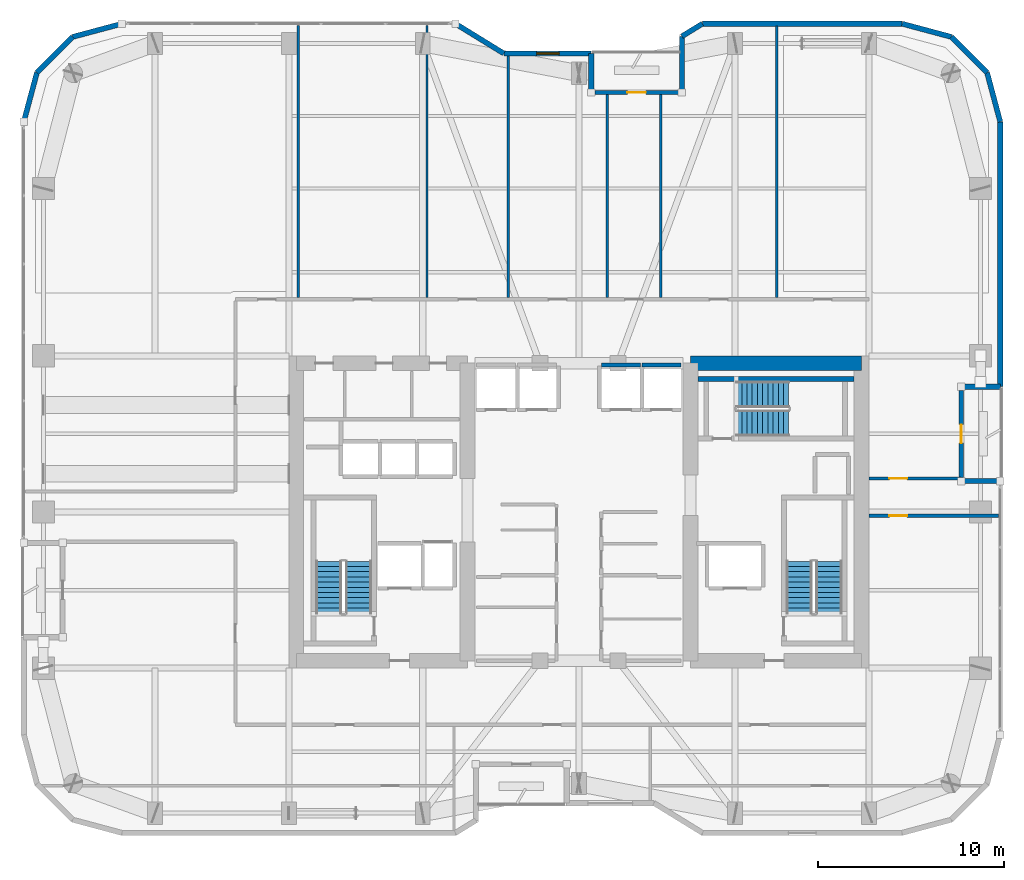
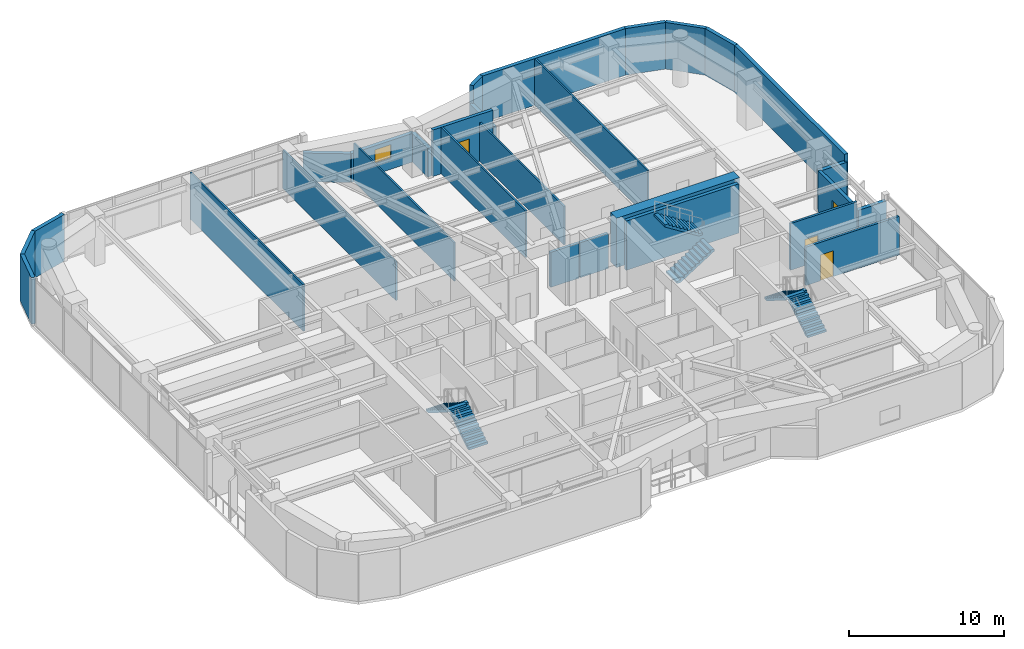
# One storey, part 27 of 30: 29 walls, 6 stair flights, 4 doors, 1 window, 5 openings, 3 elements without a shape of their own.
"""IFC4 building model written with IfcOpenShell, lengths in metres."""

import ifcopenshell
import ifcopenshell.guid

model = None  # the IFC model being written
_history = None  # IfcOwnerHistory: only IFC2X3 demands one
_inside = {}  # id of a spatial element -> (the spatial element, [elements in it])
_under = {}  # id of a project, library or spatial element -> (it, [spatial elements below it])
_declared = {}  # id of a project -> (the project, [libraries it declares])
_typed = {}  # id of a type object -> (the type object, [elements of that type])
_made_of = {}  # id of a material, layer set ... -> (it, [elements and type objects made of it])


def new_model(schema):
    """Start an empty IFC model of exactly this schema.

    Asked for "IFC4X3", IfcOpenShell would pick the latest addendum, in which some entities
    have other attributes; the version numbers below select the first issue.
    IFC2X3 requires an IfcOwnerHistory on every rooted entity: one is made here for all.
    """
    global model, _history
    if schema == "IFC4X3":
        model = ifcopenshell.file(schema_version=(4, 3, 0, 0))
    else:
        model = ifcopenshell.file(schema=schema)
    _inside.clear()
    _under.clear()
    _declared.clear()
    _typed.clear()
    _made_of.clear()
    _history = None
    if model.schema == "IFC2X3":
        org = make("IfcOrganization", Name="unknown")
        user = make(
            "IfcPersonAndOrganization",
            ThePerson=make("IfcPerson", FamilyName="unknown"),
            TheOrganization=org,
        )
        app = make(
            "IfcApplication",
            ApplicationDeveloper=org,
            Version="unknown",
            ApplicationFullName="unknown",
            ApplicationIdentifier="unknown",
        )
        _history = make(
            "IfcOwnerHistory",
            OwningUser=user,
            OwningApplication=app,
            ChangeAction="ADDED",
            CreationDate=0,
        )
    return model


def make(cls, **values):
    """One entity of the class cls with the attributes given. An attribute that is None is left unset."""
    return model.create_entity(
        cls, **{name: value for name, value in values.items() if value is not None}
    )


def rooted(cls, **values):
    """An entity with a GlobalId (a new one), such as an element, a storey or a relation."""
    return make(cls, GlobalId=ifcopenshell.guid.new(), OwnerHistory=_history, **values)


def si_unit(unit_type, name, prefix=None):
    """IfcSIUnit, for example si_unit("LENGTHUNIT", "METRE", prefix="MILLI")."""
    return make("IfcSIUnit", UnitType=unit_type, Prefix=prefix, Name=name)


def assignment(units):
    """IfcUnitAssignment: the units of a project."""
    return None if units is None else make("IfcUnitAssignment", Units=units)


def point(xyz):
    """IfcCartesianPoint."""
    return None if xyz is None else make("IfcCartesianPoint", Coordinates=xyz)


def direction(xyz):
    """IfcDirection."""
    return None if xyz is None else make("IfcDirection", DirectionRatios=xyz)


def frame(location, z_axis=None, x_axis=None):
    """IfcAxis2Placement3D, a coordinate frame: its origin and axes. An axis left out is left unset."""
    return make(
        "IfcAxis2Placement3D",
        Location=point(location),
        Axis=direction(z_axis),
        RefDirection=direction(x_axis),
    )


def frame_2d(location, x_axis=None):
    """IfcAxis2Placement2D, a coordinate frame in the plane: its origin and x axis."""
    return make(
        "IfcAxis2Placement2D", Location=point(location), RefDirection=direction(x_axis)
    )


def origin():
    """The frame at (0, 0, 0) with its axes left unset."""
    return frame((0.0, 0.0, 0.0))


def place(relative_to, where):
    """IfcLocalPlacement: puts the frame where relative to a parent placement (None: the world)."""
    return make(
        "IfcLocalPlacement", PlacementRelTo=relative_to, RelativePlacement=where
    )


def context(
    kind, dimensions, precision=None, world=None, true_north=None, identifier=None
):
    """IfcGeometricRepresentationContext, for example the 3D "Model" context."""
    return make(
        "IfcGeometricRepresentationContext",
        ContextIdentifier=identifier,
        ContextType=kind,
        CoordinateSpaceDimension=dimensions,
        Precision=precision,
        WorldCoordinateSystem=world,
        TrueNorth=true_north,
    )


def subcontext(parent, identifier, kind, view, scale=None):
    """IfcGeometricRepresentationSubContext, for example "Body" below "Model"."""
    return make(
        "IfcGeometricRepresentationSubContext",
        ContextIdentifier=identifier,
        ContextType=kind,
        ParentContext=parent,
        TargetScale=scale,
        TargetView=view,
    )


def project(units=None, contexts=None):
    """IfcProject with its units and contexts."""
    return rooted(
        "IfcProject",
        Name="project",
        RepresentationContexts=contexts,
        UnitsInContext=assignment(units),
    )


def spatial(cls, under=None, at=None, **own):
    """A site, building, storey or space (cls), placed at a placement, below another one or the project."""
    s = rooted(cls, ObjectPlacement=at, **own)
    if under is not None:
        _under.setdefault(under.id(), (under, []))[1].append(s)
    return s


def polyline(points):
    """IfcPolyline through the points."""
    return make("IfcPolyline", Points=[point(p) for p in points])


def profile(cls, at=None, kind="AREA", **sizes):
    """A parametric profile (cls). Its sizes go by their IFC names, for example OverallWidth=200.0."""
    return make(cls, ProfileType=kind, Position=at, **sizes)


def rectangle(**sizes):
    """IfcRectangleProfileDef."""
    return profile("IfcRectangleProfileDef", **sizes)


def outline(outer, holes=None, kind="AREA"):
    """IfcArbitraryClosedProfileDef: a profile drawn as a closed curve; with holes, ...WithVoids."""
    if holes is None:
        return make("IfcArbitraryClosedProfileDef", ProfileType=kind, OuterCurve=outer)
    return make(
        "IfcArbitraryProfileDefWithVoids",
        ProfileType=kind,
        OuterCurve=outer,
        InnerCurves=holes,
    )


def extrude(swept, where, along, depth):
    """IfcExtrudedAreaSolid: the profile swept, set in the frame where, extruded along a direction by depth."""
    return make(
        "IfcExtrudedAreaSolid",
        SweptArea=swept,
        Position=where,
        ExtrudedDirection=direction(along),
        Depth=depth,
    )


def shape(context_of_items, identifier, shape_type, items):
    """IfcShapeRepresentation: the items that make up one representation, for example the "Body"."""
    return make(
        "IfcShapeRepresentation",
        ContextOfItems=context_of_items,
        RepresentationIdentifier=identifier,
        RepresentationType=shape_type,
        Items=items,
    )


def material(Name=None, Category=None):
    """IfcMaterial."""
    return make("IfcMaterial", Name=Name, Category=Category)


def layer(
    of_material, thickness, ventilated=None, Name=None, Category=None, Priority=None
):
    """IfcMaterialLayer: one layer of a wall or slab, of a material (None: an air gap)."""
    return make(
        "IfcMaterialLayer",
        Material=of_material,
        LayerThickness=thickness,
        IsVentilated=ventilated,
        Name=Name,
        Category=Category,
        Priority=Priority,
    )


def layer_set(layers, Name=None):
    """IfcMaterialLayerSet."""
    return make("IfcMaterialLayerSet", MaterialLayers=layers, LayerSetName=Name)


def made_of(thing, what):
    """Note that an element or type object is made of a material, layer set ...; save() writes the relation."""
    if what is not None:
        _made_of.setdefault(what.id(), (what, []))[1].append(thing)
    return thing


def type_object(cls, material=None, **own):
    """A type object (cls), such as IfcWallType, which elements share."""
    return made_of(rooted(cls, **own), material)


def element(
    cls,
    number,
    at=None,
    inside=None,
    cuts=None,
    type_object=None,
    material=None,
    context=None,
    identifier="Body",
    shape_type=None,
    held_by="IfcProductDefinitionShape",
    body=None,
    shapes=None,
    **own,
):
    """One element of the class cls, such as IfcWall. Its Tag is "e" and its number.

    at: its placement. inside: the storey or other place that contains it. cuts: it is an
    opening in that element (IfcRelVoidsElement). A single representation is given by context,
    identifier, shape_type and body (its items); several are given by shapes. held_by: the class
    of the entity that holds the representations. save() writes the other relations.
    """
    e = rooted(cls, Tag="e%d" % number, ObjectPlacement=at, **own)
    if body is not None:
        shapes = [shape(context, identifier, shape_type, body)]
    if shapes is not None:
        e.Representation = make(held_by, Representations=shapes)
    if inside is not None:
        _inside.setdefault(inside.id(), (inside, []))[1].append(e)
    if cuts is not None:
        rooted(
            "IfcRelVoidsElement", RelatingBuildingElement=cuts, RelatedOpeningElement=e
        )
    if type_object is not None:
        _typed.setdefault(type_object.id(), (type_object, []))[1].append(e)
    return made_of(e, material)


def fill(opening, filler):
    """IfcRelFillsElement: the door or window that sits in an opening."""
    return rooted(
        "IfcRelFillsElement",
        RelatingOpeningElement=opening,
        RelatedBuildingElement=filler,
    )


def aggregate(whole, parts):
    """IfcRelAggregates: a whole, such as a stair, and the parts it consists of."""
    return rooted("IfcRelAggregates", RelatingObject=whole, RelatedObjects=parts)


def save(model, path):
    """Write the relations noted so far, then the file.

    IfcRelAggregates (storeys below a building ...), IfcRelContainedInSpatialStructure (elements
    in a storey), IfcRelDefinesByType, IfcRelAssociatesMaterial and IfcRelDeclares: one each for
    every whole, place, type object, material and project.
    """
    for whole, parts in _under.values():
        aggregate(whole, parts)
    for where, things in _inside.values():
        rooted(
            "IfcRelContainedInSpatialStructure",
            RelatedElements=things,
            RelatingStructure=where,
        )
    for kind, things in _typed.values():
        rooted("IfcRelDefinesByType", RelatedObjects=things, RelatingType=kind)
    for what, things in _made_of.values():
        rooted("IfcRelAssociatesMaterial", RelatedObjects=things, RelatingMaterial=what)
    for by, libraries in _declared.values():
        rooted("IfcRelDeclares", RelatingContext=by, RelatedDefinitions=libraries)
    model.write(path)


model = new_model("IFC4")

# Units and contexts
model_context = context("Model", 3, precision=1e-05, world=origin(), true_north=direction((0.0, 1.0)))
body_context = subcontext(model_context, "Body", "Model", "MODEL_VIEW")
ifc_project = project(units=[si_unit("LENGTHUNIT", "METRE"), si_unit("AREAUNIT", "SQUARE_METRE"), si_unit("VOLUMEUNIT", "CUBIC_METRE"), si_unit("PLANEANGLEUNIT", "RADIAN"), si_unit("MASSUNIT", "GRAM", prefix="KILO")], contexts=[model_context])

# Site, building, storey
site_placement = place(None, origin())
site = spatial("IfcSite", under=ifc_project, at=site_placement, CompositionType="ELEMENT")
building_placement = place(site_placement, origin())
building = spatial("IfcBuilding", under=site, at=building_placement, Name="Kiyonajd Concourse Tower", CompositionType="ELEMENT")
storey_placement = place(building_placement, frame((0.0, 0.0, 177.89990234375)))
storey = spatial("IfcBuildingStorey", under=building, at=storey_placement, Name="L45", CompositionType="ELEMENT", Elevation=177.89990234375)

# Walls
ifc_material_1 = material(Name="Concrete C70/85", Category="concrete")
ifc_layer_1 = layer(ifc_material_1, 0.800048828125)
ifc_layer_set_1 = layer_set([ifc_layer_1], Name="Concrete C70/85")
wall_type_1 = type_object("IfcWallType", Name="WL-CORE-800", PredefinedType="SHEAR", material=ifc_layer_set_1)
wall_1_placement = place(storey_placement, frame((54.0, 44.0, 0.0), z_axis=(0.0, 0.0, 1.0), x_axis=(1.0, 0.0, 0.0)))
element("IfcWall", 1, at=wall_1_placement, inside=storey, type_object=wall_type_1, Name="L45 East Core North Shear Wall", PredefinedType="SHEAR", context=body_context, shape_type="SweptSolid", body=[
    extrude(rectangle(XDim=9.199951171875, YDim=0.800048828125, at=frame_2d((4.60009765625, 0.0))), origin(), (0.0, 0.0, 1.0), 3.900146484375),
])
ifc_material_2 = material(Name="Precast concrete C50/60", Category="concrete")
ifc_layer_2 = layer(ifc_material_2, 0.280029296875)
ifc_layer_set_2 = layer_set([ifc_layer_2], Name="Precast concrete C50/60")
wall_type_2 = type_object("IfcWallType", Name="WL-EXT-280", PredefinedType="SOLIDWALL", material=ifc_layer_set_2)
wall_2_placement = place(storey_placement, frame((18.139892578125, 56.981689453125, 0.0), z_axis=(0.0, 0.0, 1.0), x_axis=(0.258672222976, 0.9659651552, 0.0)))
element("IfcWall", 2, at=wall_2_placement, inside=storey, type_object=wall_type_2, Name="L45 Exterior Concrete Frame Wall 06", PredefinedType="SOLIDWALL", context=body_context, shape_type="SweptSolid", body=[
    extrude(rectangle(XDim=2.739013671875, YDim=0.280029296875, at=frame_2d((1.36962890625, 0.0))), origin(), (0.0, 0.0, 1.0), 3.68017578125),
])
wall_3_placement = place(storey_placement, frame((18.848388671875, 59.62744140625, 0.0), z_axis=(0.0, 0.0, 1.0), x_axis=(0.707106781187, 0.707106781187, 0.0)))
element("IfcWall", 3, at=wall_3_placement, inside=storey, type_object=wall_type_2, Name="L45 Exterior Concrete Frame Wall 07", PredefinedType="SOLIDWALL", context=body_context, shape_type="SweptSolid", body=[
    extrude(rectangle(XDim=2.720947265625, YDim=0.280029296875, at=frame_2d((1.3603515625, 0.0))), origin(), (0.0, 0.0, 1.0), 3.68017578125),
])
wall_4_placement = place(storey_placement, frame((20.7724609375, 61.551513671875, 0.0), z_axis=(0.0, 0.0, 1.0), x_axis=(0.965971118627, 0.258649952598, 0.0)))
element("IfcWall", 4, at=wall_4_placement, inside=storey, type_object=wall_type_2, Name="L45 Exterior Concrete Frame Wall 08", PredefinedType="SOLIDWALL", context=body_context, shape_type="SweptSolid", body=[
    extrude(rectangle(XDim=2.7392578125, YDim=0.280029296875, at=frame_2d((1.36962890625, 0.0))), origin(), (0.0, 0.0, 1.0), 3.68017578125),
])
wall_5_placement = place(storey_placement, frame((41.3603515625, 62.260009765625, 0.0), z_axis=(0.0, 0.0, 1.0), x_axis=(0.851652825334, -0.524106349037, 0.0)))
element("IfcWall", 5, at=wall_5_placement, inside=storey, type_object=wall_type_2, Name="L45 Exterior Concrete Frame Wall 10", PredefinedType="SOLIDWALL", context=body_context, shape_type="SweptSolid", body=[
    extrude(rectangle(XDim=3.052978515625, YDim=0.280029296875, at=frame_2d((1.5263671875, 0.0))), origin(), (0.0, 0.0, 1.0), 2.26513671875),
])

# Wall, opening, window
wall_6_placement = place(storey_placement, frame((43.96044921875, 60.659912109375, 0.0), z_axis=(0.0, 0.0, 1.0), x_axis=(1.0, 0.0, 0.0)))
wall_6 = element("IfcWall", 6, at=wall_6_placement, inside=storey, type_object=wall_type_2, Name="L45 Exterior Concrete Frame Wall 11", PredefinedType="SOLIDWALL", context=body_context, shape_type="SweptSolid", body=[
    extrude(rectangle(XDim=4.699462890625, YDim=0.280029296875, at=frame_2d((2.349609375, 0.0))), origin(), (0.0, 0.0, 1.0), 2.26513671875),
])
opening_1_placement = place(wall_6_placement, frame((1.77001953125, 0.0, 0.85009765625)))
opening_1 = element("IfcOpeningElement", 7, at=opening_1_placement, cuts=wall_6, Name="Opening WN3", PredefinedType="OPENING", context=body_context, shape_type="SweptSolid", body=[
    extrude(rectangle(XDim=1.199951171875, YDim=1.10009765625, at=frame_2d((0.60009765625, 0.550048828125))), frame((0.0, 0.14990234375, 0.0), z_axis=(0.0, -1.0, 0.0), x_axis=(1.0, 0.0, 0.0)), (0.0, 0.0, 1.0), 0.300048828125),
])
ifc_material_3 = material(Name="Double Low-E Insulated Glass", Category="glass")
window_type = type_object("IfcWindowType", Name="WN-VIS-1200x1100", PartitioningType="SINGLE_PANEL", PredefinedType="WINDOW", material=ifc_material_3)
window_placement = place(opening_1_placement, origin())
window = element("IfcWindow", 8, at=window_placement, inside=storey, type_object=window_type, Name="L45 Modular Facade Vision Window 11", OverallHeight=1.10009765625, OverallWidth=1.199951171875, PartitioningType="SINGLE_PANEL", PredefinedType="WINDOW", context=body_context, shape_type="SweptSolid", body=[
    extrude(rectangle(XDim=1.199951171875, YDim=1.10009765625, at=frame_2d((0.60009765625, 0.550048828125))), frame((0.0, 0.030029296875, 0.0), z_axis=(0.0, -1.0, 0.0), x_axis=(1.0, 0.0, 0.0)), (0.0, 0.0, 1.0), 0.06005859375),
])
fill(opening_1, window)

# Walls
wall_7_placement = place(storey_placement, frame((48.659912109375, 60.659912109375, 0.0), z_axis=(0.0, 0.0, 1.0), x_axis=(0.0, -1.0, 0.0)))
element("IfcWall", 9, at=wall_7_placement, inside=storey, type_object=wall_type_2, Name="L45 Exterior Concrete Frame Wall 12", PredefinedType="SOLIDWALL", context=body_context, shape_type="SweptSolid", body=[
    extrude(rectangle(XDim=2.099853515625, YDim=0.280029296875, at=frame_2d((1.0498046875, 0.0))), origin(), (0.0, 0.0, 1.0), 2.26513671875),
])
wall_8_placement = place(storey_placement, frame((53.5400390625, 58.56005859375, 0.0), z_axis=(0.0, 0.0, 1.0), x_axis=(0.0, 1.0, 0.0)))
element("IfcWall", 10, at=wall_8_placement, inside=storey, type_object=wall_type_2, Name="L45 Exterior Concrete Frame Wall 14", PredefinedType="SOLIDWALL", context=body_context, shape_type="SweptSolid", body=[
    extrude(rectangle(XDim=3.023681640625, YDim=0.280029296875, at=frame_2d((1.51171875, 0.0))), origin(), (0.0, 0.0, 1.0), 2.26513671875),
])
wall_9_placement = place(storey_placement, frame((53.5400390625, 61.583740234375, 0.0), z_axis=(0.0, 0.0, 1.0), x_axis=(0.851801140441, 0.523865266212, 0.0)))
element("IfcWall", 11, at=wall_9_placement, inside=storey, type_object=wall_type_2, Name="L45 Exterior Concrete Frame Wall 15", PredefinedType="SOLIDWALL", context=body_context, shape_type="SweptSolid", body=[
    extrude(rectangle(XDim=1.291015625, YDim=0.280029296875, at=frame_2d((0.6455078125, 0.0))), origin(), (0.0, 0.0, 1.0), 3.68017578125),
])
wall_10_placement = place(storey_placement, frame((54.6396484375, 62.260009765625, 0.0), z_axis=(0.0, 0.0, 1.0), x_axis=(1.0, 0.0, 0.0)))
element("IfcWall", 12, at=wall_10_placement, inside=storey, type_object=wall_type_2, Name="L45 Exterior Concrete Frame Wall 16", PredefinedType="SOLIDWALL", context=body_context, shape_type="SweptSolid", body=[
    extrude(rectangle(XDim=10.741943359375, YDim=0.280029296875, at=frame_2d((5.37109375, 0.0))), origin(), (0.0, 0.0, 1.0), 3.68017578125),
])
wall_11_placement = place(storey_placement, frame((65.381591796875, 62.260009765625, 0.0), z_axis=(0.0, 0.0, 1.0), x_axis=(0.965971118627, -0.258649952598, 0.0)))
element("IfcWall", 13, at=wall_11_placement, inside=storey, type_object=wall_type_2, Name="L45 Exterior Concrete Frame Wall 17", PredefinedType="SOLIDWALL", context=body_context, shape_type="SweptSolid", body=[
    extrude(rectangle(XDim=2.7392578125, YDim=0.280029296875, at=frame_2d((1.36962890625, 0.0))), origin(), (0.0, 0.0, 1.0), 3.68017578125),
])
wall_12_placement = place(storey_placement, frame((68.027587890625, 61.551513671875, 0.0), z_axis=(0.0, 0.0, 1.0), x_axis=(0.707061915429, -0.707151644098, 0.0)))
element("IfcWall", 14, at=wall_12_placement, inside=storey, type_object=wall_type_2, Name="L45 Exterior Concrete Frame Wall 18", PredefinedType="SOLIDWALL", context=body_context, shape_type="SweptSolid", body=[
    extrude(rectangle(XDim=2.720947265625, YDim=0.280029296875, at=frame_2d((1.3603515625, 0.0))), origin(), (0.0, 0.0, 1.0), 3.68017578125),
])
wall_13_placement = place(storey_placement, frame((69.951416015625, 59.62744140625, 0.0), z_axis=(0.0, 0.0, 1.0), x_axis=(0.258672222976, -0.9659651552, 0.0)))
element("IfcWall", 15, at=wall_13_placement, inside=storey, type_object=wall_type_2, Name="L45 Exterior Concrete Frame Wall 19", PredefinedType="SOLIDWALL", context=body_context, shape_type="SweptSolid", body=[
    extrude(rectangle(XDim=2.739013671875, YDim=0.280029296875, at=frame_2d((1.36962890625, 0.0))), origin(), (0.0, 0.0, 1.0), 3.68017578125),
])
wall_14_placement = place(storey_placement, frame((70.659912109375, 56.981689453125, 0.0), z_axis=(0.0, 0.0, 1.0), x_axis=(0.0, -1.0, 0.0)))
element("IfcWall", 16, at=wall_14_placement, inside=storey, type_object=wall_type_2, Name="L45 Exterior Concrete Frame Wall 20", PredefinedType="SOLIDWALL", context=body_context, shape_type="SweptSolid", body=[
    extrude(rectangle(XDim=14.24169921875, YDim=0.280029296875, at=frame_2d((7.120849609375, 0.0))), origin(), (0.0, 0.0, 1.0), 3.68017578125),
])
for number, where, z_axis, x_axis, name in (
    (17, (70.659912109375, 42.739990234375, 0.0), (0.0, 0.0, 1.0), (-1.0, 0.0, 0.0), "L45 Exterior Concrete Frame Wall 21"),
    (18, (68.56005859375, 37.659912109375, 0.0), (0.0, 0.0, 1.0), (1.0, 0.0, 0.0), "L45 Exterior Concrete Frame Wall 23"),
):
    element("IfcWall", number, at=place(storey_placement, frame(where, z_axis=z_axis, x_axis=x_axis)), inside=storey, type_object=wall_type_2, Name=name, PredefinedType="SOLIDWALL", context=body_context, shape_type="SweptSolid", body=[
        extrude(rectangle(XDim=2.099853515625, YDim=0.280029296875, at=frame_2d((1.0498046875, 0.0))), origin(), (0.0, 0.0, 1.0), 3.1162109375),
    ])

# Wall, opening, door
ifc_layer_3 = layer(ifc_material_2, 0.239990234375)
ifc_layer_set_3 = layer_set([ifc_layer_3], Name="Precast concrete C50/60")
wall_type_3 = type_object("IfcWallType", Name="WL-LOG-240", PredefinedType="SOLIDWALL", material=ifc_layer_set_3)
wall_15_placement = place(storey_placement, frame((48.85498046875, 58.56005859375, 0.0), z_axis=(0.0, 0.0, 1.0), x_axis=(1.0, 0.0, 0.0)))
wall_15 = element("IfcWall", 19, at=wall_15_placement, inside=storey, type_object=wall_type_3, Name="L45 Recessed Loggia Thermal Wall LOG-N", PredefinedType="SOLIDWALL", context=body_context, shape_type="SweptSolid", body=[
    extrude(rectangle(XDim=4.489990234375, YDim=0.239990234375, at=frame_2d((2.2451171875, 0.0))), origin(), (0.0, 0.0, 1.0), 3.68017578125),
])
opening_2_placement = place(wall_15_placement, frame((1.7451171875, 0.0, 0.0)))
opening_2 = element("IfcOpeningElement", 20, at=opening_2_placement, cuts=wall_15, Name="Opening DL1", PredefinedType="OPENING", context=body_context, shape_type="SweptSolid", body=[
    extrude(rectangle(XDim=1.0, YDim=2.02001953125, at=frame_2d((0.5, 1.010009765625))), frame((0.0, 0.1298828125, 0.0), z_axis=(0.0, -1.0, 0.0), x_axis=(1.0, 0.0, 0.0)), (0.0, 0.0, 1.0), 0.260009765625),
])
ifc_material_4 = material(Name="Thermally Broken Anodised Aluminium", Category="aluminium")
door_type_1 = type_object("IfcDoorType", Name="DR-LOG-1000", OperationType="NOTDEFINED", PredefinedType="DOOR", material=ifc_material_4)
door_1_placement = place(opening_2_placement, origin())
door_1 = element("IfcDoor", 21, at=door_1_placement, inside=storey, type_object=door_type_1, Name="L45 Engawa Loggia Access Door LOG-N", OperationType="SINGLE_SWING_RIGHT", OverallHeight=2.02001953125, OverallWidth=1.0, PredefinedType="DOOR", context=body_context, shape_type="SweptSolid", body=[
    extrude(rectangle(XDim=1.0, YDim=2.02001953125, at=frame_2d((0.5, 1.010009765625))), frame((0.0, 0.02490234375, 0.0), z_axis=(0.0, -1.0, 0.0), x_axis=(1.0, 0.0, 0.0)), (0.0, 0.0, 1.0), 0.050048828125),
])
fill(opening_2, door_1)

wall_16_placement = place(storey_placement, frame((68.56005859375, 42.544921875, 0.0), z_axis=(0.0, 0.0, 1.0), x_axis=(0.0, -1.0, 0.0)))
wall_16 = element("IfcWall", 22, at=wall_16_placement, inside=storey, type_object=wall_type_3, Name="L45 Recessed Loggia Thermal Wall LOG-E", PredefinedType="SOLIDWALL", context=body_context, shape_type="SweptSolid", body=[
    extrude(rectangle(XDim=4.68994140625, YDim=0.239990234375, at=frame_2d((2.344970703125, 0.0))), origin(), (0.0, 0.0, 1.0), 3.248046875),
])
opening_3_placement = place(wall_16_placement, frame((1.844970703125, 0.0, 0.0)))
opening_3 = element("IfcOpeningElement", 23, at=opening_3_placement, cuts=wall_16, Name="Opening DL1", PredefinedType="OPENING", context=body_context, shape_type="SweptSolid", body=[
    extrude(rectangle(XDim=1.0, YDim=2.02001953125, at=frame_2d((0.5, 1.010009765625))), frame((0.0, 0.1298828125, 0.0), z_axis=(0.0, -1.0, 0.0), x_axis=(1.0, 0.0, 0.0)), (0.0, 0.0, 1.0), 0.260009765625),
])
door_2_placement = place(opening_3_placement, origin())
door_2 = element("IfcDoor", 24, at=door_2_placement, inside=storey, type_object=door_type_1, Name="L45 Engawa Loggia Access Door LOG-E", OperationType="SINGLE_SWING_LEFT", OverallHeight=2.02001953125, OverallWidth=1.0, PredefinedType="DOOR", context=body_context, shape_type="SweptSolid", body=[
    extrude(rectangle(XDim=1.0, YDim=2.02001953125, at=frame_2d((0.5, 1.010009765625))), frame((0.0, 0.02490234375, 0.0), z_axis=(0.0, -1.0, 0.0), x_axis=(1.0, 0.0, 0.0)), (0.0, 0.0, 1.0), 0.050048828125),
])
fill(opening_3, door_2)

# Walls
ifc_material_5 = material(Name="Gypsum Board on Cold-Formed Steel Stud", Category="steel")
ifc_layer_4 = layer(ifc_material_5, 0.125)
ifc_layer_set_4 = layer_set([ifc_layer_4], Name="Gypsum Board on Cold-Formed Steel Stud")
wall_type_4 = type_object("IfcWallType", Name="WL-PART-125", PredefinedType="PARTITIONING", material=ifc_layer_set_4)
wall_17_placement = place(storey_placement, frame((32.909912109375, 47.527099609375, 0.0), z_axis=(0.0, 0.0, 1.0), x_axis=(0.0, 1.0, 0.0)))
element("IfcWall", 25, at=wall_17_placement, inside=storey, type_object=wall_type_4, Name="L45 Interior Partition Wall", PredefinedType="PARTITIONING", context=body_context, shape_type="SweptSolid", body=[
    extrude(rectangle(XDim=14.637939453125, YDim=0.125, at=frame_2d((7.31884765625, 0.0))), origin(), (0.0, 0.0, 1.0), 3.68017578125),
])
wall_18_placement = place(storey_placement, frame((39.830078125, 47.527099609375, 0.0), z_axis=(0.0, 0.0, 1.0), x_axis=(0.0, 1.0, 0.0)))
element("IfcWall", 26, at=wall_18_placement, inside=storey, type_object=wall_type_4, Name="L45 Interior Partition Wall", PredefinedType="PARTITIONING", context=body_context, shape_type="SweptSolid", body=[
    extrude(rectangle(XDim=14.637939453125, YDim=0.125, at=frame_2d((7.31884765625, 0.0))), origin(), (0.0, 0.0, 1.0), 3.043212890625),
])
wall_19_placement = place(storey_placement, frame((44.18994140625, 47.527099609375, 0.0), z_axis=(0.0, 0.0, 1.0), x_axis=(0.0, 1.0, 0.0)))
element("IfcWall", 27, at=wall_19_placement, inside=storey, type_object=wall_type_4, Name="L45 Interior Partition Wall", PredefinedType="PARTITIONING", context=body_context, shape_type="SweptSolid", body=[
    extrude(rectangle(XDim=12.997802734375, YDim=0.125, at=frame_2d((6.4990234375, 0.0))), origin(), (0.0, 0.0, 1.0), 3.043212890625),
])
wall_20_placement = place(storey_placement, frame((49.530029296875, 47.527099609375, 0.0), z_axis=(0.0, 0.0, 1.0), x_axis=(0.0, 1.0, 0.0)))
element("IfcWall", 28, at=wall_20_placement, inside=storey, type_object=wall_type_4, Name="L45 Interior Partition Wall", PredefinedType="PARTITIONING", context=body_context, shape_type="SweptSolid", body=[
    extrude(rectangle(XDim=10.91796875, YDim=0.125, at=frame_2d((5.458984375, 0.0))), origin(), (0.0, 0.0, 1.0), 3.68017578125),
])
wall_21_placement = place(storey_placement, frame((52.39990234375, 47.527099609375, 0.0), z_axis=(0.0, 0.0, 1.0), x_axis=(0.0, 1.0, 0.0)))
element("IfcWall", 29, at=wall_21_placement, inside=storey, type_object=wall_type_4, Name="L45 Interior Partition Wall", PredefinedType="PARTITIONING", context=body_context, shape_type="SweptSolid", body=[
    extrude(rectangle(XDim=10.91796875, YDim=0.125, at=frame_2d((5.458984375, 0.0))), origin(), (0.0, 0.0, 1.0), 3.043212890625),
])
wall_22_placement = place(storey_placement, frame((58.639892578125, 47.527099609375, 0.0), z_axis=(0.0, 0.0, 1.0), x_axis=(0.0, 1.0, 0.0)))
element("IfcWall", 30, at=wall_22_placement, inside=storey, type_object=wall_type_4, Name="L45 Interior Partition Wall", PredefinedType="PARTITIONING", context=body_context, shape_type="SweptSolid", body=[
    extrude(rectangle(XDim=14.597900390625, YDim=0.125, at=frame_2d((7.298828125, 0.0))), origin(), (0.0, 0.0, 1.0), 3.68017578125),
])
ifc_layer_5 = layer(ifc_material_5, 0.2099609375)
ifc_layer_set_5 = layer_set([ifc_layer_5], Name="Gypsum Board on Cold-Formed Steel Stud")
wall_type_5 = type_object("IfcWallType", Name="WL-SHAFT-210", PredefinedType="PARTITIONING", material=ifc_layer_set_5)
for number, where, z_axis, x_axis, name in (
    (31, (49.199951171875, 43.89990234375, 0.0), (0.0, 0.0, 1.0), (1.0, 0.0, 0.0), "L45 Shaft Enclosure Wall"),
    (32, (51.39990234375, 43.89990234375, 0.0), (0.0, 0.0, 1.0), (1.0, 0.0, 0.0), "L45 Shaft Enclosure Wall"),
):
    element("IfcWall", number, at=place(storey_placement, frame(where, z_axis=z_axis, x_axis=x_axis)), inside=storey, type_object=wall_type_5, Name=name, PredefinedType="PARTITIONING", context=body_context, shape_type="SweptSolid", body=[
        extrude(rectangle(XDim=2.10009765625, YDim=0.2099609375, at=frame_2d((1.050048828125, 0.0))), origin(), (0.0, 0.0, 1.0), 2.76513671875),
    ])

# Wall, opening, door
ifc_layer_6 = layer(ifc_material_5, 0.169921875)
ifc_layer_set_6 = layer_set([ifc_layer_6], Name="Gypsum Board on Cold-Formed Steel Stud")
wall_type_6 = type_object("IfcWallType", Name="WL-SMK-170", PredefinedType="PARTITIONING", material=ifc_layer_set_6)
wall_23_placement = place(storey_placement, frame((63.60009765625, 35.800048828125, 0.0), z_axis=(0.0, 0.0, 1.0), x_axis=(1.0, 0.0, 0.0)))
wall_23 = element("IfcWall", 33, at=wall_23_placement, inside=storey, type_object=wall_type_6, Name="L45 Interior Partition Wall", PredefinedType="PARTITIONING", context=body_context, shape_type="SweptSolid", body=[
    extrude(rectangle(XDim=6.974853515625, YDim=0.169921875, at=frame_2d((3.4873046875, 0.0))), origin(), (0.0, 0.0, 1.0), 3.043212890625),
])
opening_4_placement = place(wall_23_placement, frame((1.10009765625, 0.0, 0.0)))
opening_4 = element("IfcOpeningElement", 34, at=opening_4_placement, cuts=wall_23, Name="Opening DI1", PredefinedType="OPENING", context=body_context, shape_type="SweptSolid", body=[
    extrude(rectangle(XDim=0.949951171875, YDim=2.0400390625, at=frame_2d((0.47509765625, 1.02001953125))), frame((0.0, 0.094970703125, 0.0), z_axis=(0.0, -1.0, 0.0), x_axis=(1.0, 0.0, 0.0)), (0.0, 0.0, 1.0), 0.18994140625),
])
ifc_material_6 = material(Name="Natural Oak Acoustic Timber Veneer", Category="wood")
door_type_2 = type_object("IfcDoorType", Name="DR-INT-950", OperationType="NOTDEFINED", PredefinedType="DOOR", material=ifc_material_6)
door_3_placement = place(opening_4_placement, origin())
door_3 = element("IfcDoor", 35, at=door_3_placement, inside=storey, type_object=door_type_2, Name="L45 Interior Door", OperationType="SINGLE_SWING_RIGHT", OverallHeight=2.0400390625, OverallWidth=0.949951171875, PredefinedType="DOOR", context=body_context, shape_type="SweptSolid", body=[
    extrude(rectangle(XDim=0.949951171875, YDim=2.0400390625, at=frame_2d((0.47509765625, 1.02001953125))), frame((0.0, 0.02490234375, 0.0), z_axis=(0.0, -1.0, 0.0), x_axis=(1.0, 0.0, 0.0)), (0.0, 0.0, 1.0), 0.050048828125),
])
fill(opening_4, door_3)

wall_24_placement = place(storey_placement, frame((63.60009765625, 37.800048828125, 0.0), z_axis=(0.0, 0.0, 1.0), x_axis=(1.0, 0.0, 0.0)))
wall_24 = element("IfcWall", 36, at=wall_24_placement, inside=storey, type_object=wall_type_6, Name="L45 Interior Partition Wall", PredefinedType="PARTITIONING", context=body_context, shape_type="SweptSolid", body=[
    extrude(rectangle(XDim=4.9599609375, YDim=0.169921875, at=frame_2d((2.47998046875, 0.0))), origin(), (0.0, 0.0, 1.0), 3.68017578125),
])
opening_5_placement = place(wall_24_placement, frame((1.10009765625, 0.0, 0.0)))
opening_5 = element("IfcOpeningElement", 37, at=opening_5_placement, cuts=wall_24, Name="Opening DI1", PredefinedType="OPENING", context=body_context, shape_type="SweptSolid", body=[
    extrude(rectangle(XDim=0.949951171875, YDim=2.0400390625, at=frame_2d((0.47509765625, 1.02001953125))), frame((0.0, 0.094970703125, 0.0), z_axis=(0.0, -1.0, 0.0), x_axis=(1.0, 0.0, 0.0)), (0.0, 0.0, 1.0), 0.18994140625),
])
door_4_placement = place(opening_5_placement, origin())
door_4 = element("IfcDoor", 38, at=door_4_placement, inside=storey, type_object=door_type_2, Name="L45 Interior Door", OperationType="SINGLE_SWING_LEFT", OverallHeight=2.0400390625, OverallWidth=0.949951171875, PredefinedType="DOOR", context=body_context, shape_type="SweptSolid", body=[
    extrude(rectangle(XDim=0.949951171875, YDim=2.0400390625, at=frame_2d((0.47509765625, 1.02001953125))), frame((0.0, 0.02490234375, 0.0), z_axis=(0.0, -1.0, 0.0), x_axis=(1.0, 0.0, 0.0)), (0.0, 0.0, 1.0), 0.050048828125),
])
fill(opening_5, door_4)

# Wall
ifc_material_7 = material(Name="Concrete C50/60", Category="concrete")
ifc_layer_7 = layer(ifc_material_7, 0.260009765625)
ifc_layer_set_7 = layer_set([ifc_layer_7], Name="Concrete C50/60")
wall_type_7 = type_object("IfcWallType", Name="WL-STAIR-260", PredefinedType="SHEAR", material=ifc_layer_set_7)
wall_25_placement = place(storey_placement, frame((54.39990234375, 43.14990234375, 0.0), z_axis=(0.0, 0.0, 1.0), x_axis=(1.0, 0.0, 0.0)))
element("IfcWall", 39, at=wall_25_placement, inside=storey, type_object=wall_type_7, Name="L45 Stair ST3 Structural North Wall", PredefinedType="SHEAR", context=body_context, shape_type="SweptSolid", body=[
    extrude(rectangle(XDim=8.400146484375, YDim=0.260009765625, at=frame_2d((4.2001953125, 0.0))), origin(), (0.0, 0.0, 1.0), 3.900146484375),
])

# Stair, stair flights
ifc_material_8 = material(Name="Concrete C40/50", Category="concrete")
stair_type = type_object("IfcStairType", Name="ST-DLG-22R", PredefinedType="HALF_TURN_STAIR", material=ifc_material_8)
stair_1_placement = place(storey_placement, origin())
stair_1 = element("IfcStair", 40, at=stair_1_placement, inside=storey, type_object=stair_type, Name="L45 Protected Exit Stair ST1", PredefinedType="HALF_TURN_STAIR")
stair_flight_type = type_object("IfcStairFlightType", Name="SF-STR-22R", PredefinedType="STRAIGHT", material=ifc_material_8)
stair_flight_1_placement = place(storey_placement, frame((36.14990234375, 30.550048828125, 0.0), z_axis=(0.0, 0.0, 1.0), x_axis=(0.0, 1.0, 0.0)))
stair_flight_1 = element("IfcStairFlight", 41, at=stair_flight_1_placement, type_object=stair_flight_type, Name="ST1 flight 1", NumberOfRisers=11, NumberOfTreads=10, PredefinedType="STRAIGHT", RiserHeight=0.177272727, TreadLength=0.28, context=body_context, shape_type="SweptSolid", body=[
    extrude(outline(polyline([(0.0, 0.0), (0.0, 0.17724609375), (0.280029296875, 0.17724609375), (0.280029296875, 0.3544921875), (0.56005859375, 0.3544921875), (0.56005859375, 0.53173828125), (0.840087890625, 0.53173828125), (0.840087890625, 0.708984375), (1.1201171875, 0.708984375), (1.1201171875, 0.886474609375), (1.39990234375, 0.886474609375), (1.39990234375, 1.063720703125), (1.679931640625, 1.063720703125), (1.679931640625, 1.240966796875), (1.9599609375, 1.240966796875), (1.9599609375, 1.418212890625), (2.239990234375, 1.418212890625), (2.239990234375, 1.595458984375), (2.52001953125, 1.595458984375), (2.52001953125, 1.772705078125), (2.800048828125, 1.772705078125), (2.800048828125, 1.949951171875), (2.800048828125, 1.59521484375), (0.2802734375, 0.0), (0.0, 0.0)])), frame((0.0, 0.699951171875, 0.0), z_axis=(0.0, -1.0, 0.0), x_axis=(1.0, 0.0, 0.0)), (0.0, 0.0, 1.0), 1.39990234375),
])
stair_flight_2_placement = place(storey_placement, frame((34.550048828125, 33.35009765625, 1.9501953125), z_axis=(0.0, 0.0, 1.0), x_axis=(0.0, -1.0, 0.0)))
stair_flight_2 = element("IfcStairFlight", 42, at=stair_flight_2_placement, type_object=stair_flight_type, Name="ST1 flight 2", NumberOfRisers=11, NumberOfTreads=10, PredefinedType="STRAIGHT", RiserHeight=0.177272727, TreadLength=0.28, context=body_context, shape_type="SweptSolid", body=[
    extrude(outline(polyline([(0.0, 0.0), (0.0, 0.17724609375), (0.280029296875, 0.17724609375), (0.280029296875, 0.3544921875), (0.56005859375, 0.3544921875), (0.56005859375, 0.53173828125), (0.840087890625, 0.53173828125), (0.840087890625, 0.708984375), (1.1201171875, 0.708984375), (1.1201171875, 0.886474609375), (1.39990234375, 0.886474609375), (1.39990234375, 1.063720703125), (1.679931640625, 1.063720703125), (1.679931640625, 1.240966796875), (1.9599609375, 1.240966796875), (1.9599609375, 1.418212890625), (2.239990234375, 1.418212890625), (2.239990234375, 1.595458984375), (2.52001953125, 1.595458984375), (2.52001953125, 1.772705078125), (2.800048828125, 1.772705078125), (2.800048828125, 1.949951171875), (2.800048828125, 1.59521484375), (0.2802734375, 0.0), (0.0, 0.0)])), frame((0.0, 0.699951171875, 0.0), z_axis=(0.0, -1.0, 0.0), x_axis=(1.0, 0.0, 0.0)), (0.0, 0.0, 1.0), 1.39990234375),
])
aggregate(stair_1, [stair_flight_1, stair_flight_2])

stair_2_placement = place(storey_placement, origin())
stair_2 = element("IfcStair", 43, at=stair_2_placement, inside=storey, type_object=stair_type, Name="L45 Protected Exit Stair ST2", PredefinedType="HALF_TURN_STAIR")
stair_flight_3_placement = place(storey_placement, frame((61.449951171875, 30.550048828125, 0.0), z_axis=(0.0, 0.0, 1.0), x_axis=(0.0, 1.0, 0.0)))
stair_flight_3 = element("IfcStairFlight", 44, at=stair_flight_3_placement, type_object=stair_flight_type, Name="ST2 flight 1", NumberOfRisers=11, NumberOfTreads=10, PredefinedType="STRAIGHT", RiserHeight=0.177272727, TreadLength=0.28, context=body_context, shape_type="SweptSolid", body=[
    extrude(outline(polyline([(0.0, 0.0), (0.0, 0.17724609375), (0.280029296875, 0.17724609375), (0.280029296875, 0.3544921875), (0.56005859375, 0.3544921875), (0.56005859375, 0.53173828125), (0.840087890625, 0.53173828125), (0.840087890625, 0.708984375), (1.1201171875, 0.708984375), (1.1201171875, 0.886474609375), (1.39990234375, 0.886474609375), (1.39990234375, 1.063720703125), (1.679931640625, 1.063720703125), (1.679931640625, 1.240966796875), (1.9599609375, 1.240966796875), (1.9599609375, 1.418212890625), (2.239990234375, 1.418212890625), (2.239990234375, 1.595458984375), (2.52001953125, 1.595458984375), (2.52001953125, 1.772705078125), (2.800048828125, 1.772705078125), (2.800048828125, 1.949951171875), (2.800048828125, 1.59521484375), (0.2802734375, 0.0), (0.0, 0.0)])), frame((0.0, 0.699951171875, 0.0), z_axis=(0.0, -1.0, 0.0), x_axis=(1.0, 0.0, 0.0)), (0.0, 0.0, 1.0), 1.39990234375),
])
stair_flight_4_placement = place(storey_placement, frame((59.85009765625, 33.35009765625, 1.9501953125), z_axis=(0.0, 0.0, 1.0), x_axis=(0.0, -1.0, 0.0)))
stair_flight_4 = element("IfcStairFlight", 45, at=stair_flight_4_placement, type_object=stair_flight_type, Name="ST2 flight 2", NumberOfRisers=11, NumberOfTreads=10, PredefinedType="STRAIGHT", RiserHeight=0.177272727, TreadLength=0.28, context=body_context, shape_type="SweptSolid", body=[
    extrude(outline(polyline([(0.0, 0.0), (0.0, 0.17724609375), (0.280029296875, 0.17724609375), (0.280029296875, 0.3544921875), (0.56005859375, 0.3544921875), (0.56005859375, 0.53173828125), (0.840087890625, 0.53173828125), (0.840087890625, 0.708984375), (1.1201171875, 0.708984375), (1.1201171875, 0.886474609375), (1.39990234375, 0.886474609375), (1.39990234375, 1.063720703125), (1.679931640625, 1.063720703125), (1.679931640625, 1.240966796875), (1.9599609375, 1.240966796875), (1.9599609375, 1.418212890625), (2.239990234375, 1.418212890625), (2.239990234375, 1.595458984375), (2.52001953125, 1.595458984375), (2.52001953125, 1.772705078125), (2.800048828125, 1.772705078125), (2.800048828125, 1.949951171875), (2.800048828125, 1.59521484375), (0.2802734375, 0.0), (0.0, 0.0)])), frame((0.0, 0.699951171875, 0.0), z_axis=(0.0, -1.0, 0.0), x_axis=(1.0, 0.0, 0.0)), (0.0, 0.0, 1.0), 1.39990234375),
])
aggregate(stair_2, [stair_flight_3, stair_flight_4])

stair_3_placement = place(storey_placement, origin())
stair_3 = element("IfcStair", 46, at=stair_3_placement, inside=storey, type_object=stair_type, Name="L45 Protected Exit Stair ST3", PredefinedType="HALF_TURN_STAIR")
stair_flight_5_placement = place(storey_placement, frame((56.47998046875, 40.780029296875, 0.0), z_axis=(0.0, 0.0, 1.0), x_axis=(1.0, 0.0, 0.0)))
stair_flight_5 = element("IfcStairFlight", 47, at=stair_flight_5_placement, type_object=stair_flight_type, Name="ST3 flight 1", NumberOfRisers=11, NumberOfTreads=10, PredefinedType="STRAIGHT", RiserHeight=0.177272727, TreadLength=0.28, context=body_context, shape_type="SweptSolid", body=[
    extrude(outline(polyline([(0.0, 0.0), (0.0, 0.17724609375), (0.280029296875, 0.17724609375), (0.280029296875, 0.3544921875), (0.56005859375, 0.3544921875), (0.56005859375, 0.53173828125), (0.840087890625, 0.53173828125), (0.840087890625, 0.708984375), (1.1201171875, 0.708984375), (1.1201171875, 0.886474609375), (1.39990234375, 0.886474609375), (1.39990234375, 1.063720703125), (1.679931640625, 1.063720703125), (1.679931640625, 1.240966796875), (1.9599609375, 1.240966796875), (1.9599609375, 1.418212890625), (2.239990234375, 1.418212890625), (2.239990234375, 1.595458984375), (2.52001953125, 1.595458984375), (2.52001953125, 1.772705078125), (2.800048828125, 1.772705078125), (2.800048828125, 1.949951171875), (2.800048828125, 1.59521484375), (0.2802734375, 0.0), (0.0, 0.0)])), frame((0.0, 0.699951171875, 0.0), z_axis=(0.0, -1.0, 0.0), x_axis=(1.0, 0.0, 0.0)), (0.0, 0.0, 1.0), 1.39990234375),
])
stair_flight_6_placement = place(storey_placement, frame((59.280029296875, 42.320068359375, 1.9501953125), z_axis=(0.0, 0.0, 1.0), x_axis=(-1.0, 0.0, 0.0)))
stair_flight_6 = element("IfcStairFlight", 48, at=stair_flight_6_placement, type_object=stair_flight_type, Name="ST3 flight 2", NumberOfRisers=11, NumberOfTreads=10, PredefinedType="STRAIGHT", RiserHeight=0.177272727, TreadLength=0.28, context=body_context, shape_type="SweptSolid", body=[
    extrude(outline(polyline([(0.0, 0.0), (0.0, 0.17724609375), (0.280029296875, 0.17724609375), (0.280029296875, 0.3544921875), (0.56005859375, 0.3544921875), (0.56005859375, 0.53173828125), (0.840087890625, 0.53173828125), (0.840087890625, 0.708984375), (1.1201171875, 0.708984375), (1.1201171875, 0.886474609375), (1.39990234375, 0.886474609375), (1.39990234375, 1.063720703125), (1.679931640625, 1.063720703125), (1.679931640625, 1.240966796875), (1.9599609375, 1.240966796875), (1.9599609375, 1.418212890625), (2.239990234375, 1.418212890625), (2.239990234375, 1.595458984375), (2.52001953125, 1.595458984375), (2.52001953125, 1.772705078125), (2.800048828125, 1.772705078125), (2.800048828125, 1.949951171875), (2.800048828125, 1.59521484375), (0.2802734375, 0.0), (0.0, 0.0)])), frame((0.0, 0.699951171875, 0.0), z_axis=(0.0, -1.0, 0.0), x_axis=(1.0, 0.0, 0.0)), (0.0, 0.0, 1.0), 1.39990234375),
])
aggregate(stair_3, [stair_flight_5, stair_flight_6])

save(model, "model.ifc")
